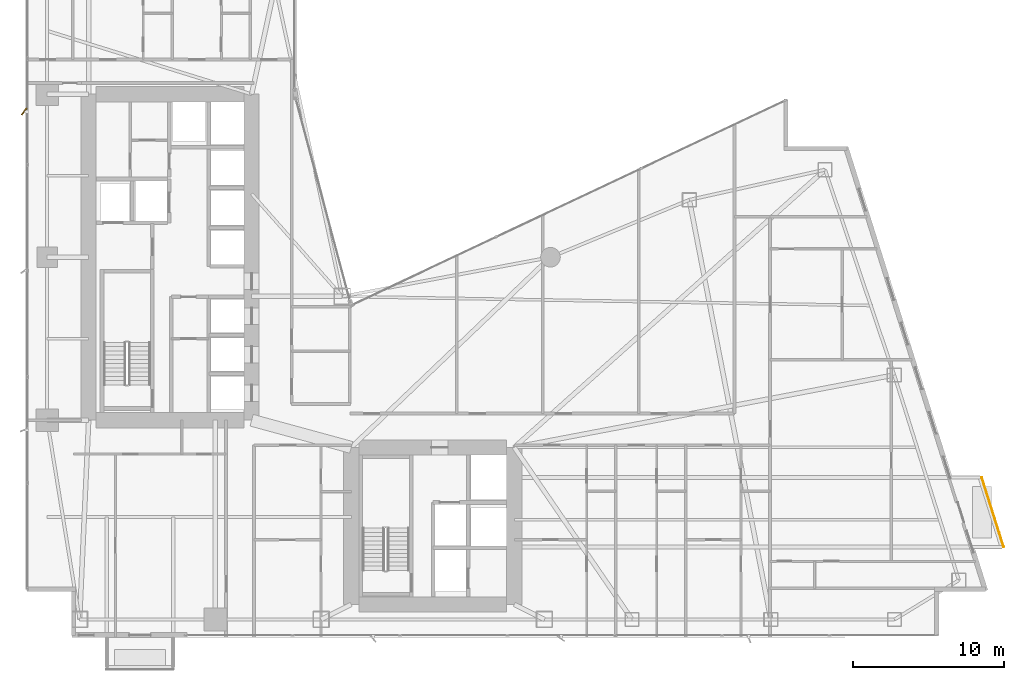
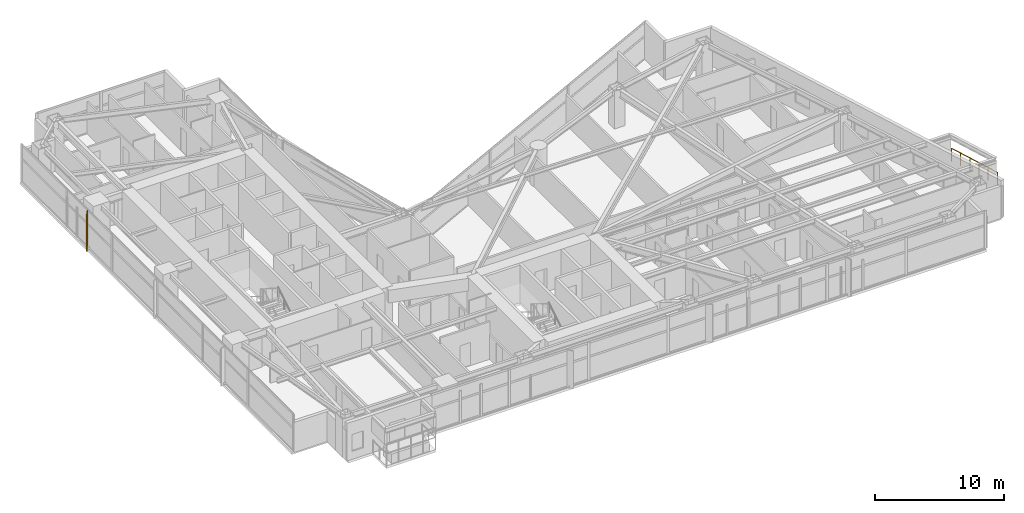
# One storey, part 30 of 30: 1 railing, 1 shading device.
"""IFC4 building model written with IfcOpenShell, lengths in metres."""

from ifc_helpers import new_model, si_unit, direction, frame, origin, origin_2d, place, context, subcontext, project, spatial, rectangle, circle, extrude, material, type_object, element, save


model = new_model("IFC4")

# Units and contexts
model_context = context("Model", 3, precision=1e-05, world=origin(), true_north=direction((0.0, 1.0)))
body_context = subcontext(model_context, "Body", "Model", "MODEL_VIEW")
ifc_project = project(units=[si_unit("LENGTHUNIT", "METRE"), si_unit("AREAUNIT", "SQUARE_METRE"), si_unit("VOLUMEUNIT", "CUBIC_METRE"), si_unit("PLANEANGLEUNIT", "RADIAN"), si_unit("MASSUNIT", "GRAM", prefix="KILO")], contexts=[model_context])

# Site, building, storey
site_placement = place(None, origin())
site = spatial("IfcSite", under=ifc_project, at=site_placement, CompositionType="ELEMENT")
building_placement = place(site_placement, origin())
building = spatial("IfcBuilding", under=site, at=building_placement, Name="Calvorn Quay Hotel", CompositionType="ELEMENT")
storey_placement = place(building_placement, frame((0.0, 0.0, 50.800048828125)))
storey = spatial("IfcBuildingStorey", under=building, at=storey_placement, Name="L11", CompositionType="ELEMENT", Elevation=50.800048828125)

# Railing
ifc_material_1 = material(Name="Pale Anodised Aluminium and Laminated Glass", Category="aluminium")
railing_type = type_object("IfcRailingType", Name="RLG-BALUSTRADE-1200", PredefinedType="BALUSTRADE", material=ifc_material_1)
railing_placement = place(storey_placement, frame((64.827880859375, 8.39990234375, 0.89990234375)))
element("IfcRailing", 1, at=railing_placement, inside=storey, type_object=railing_type, Name="Planter Kerb High Safety Screen L11-BALC-E", PredefinedType="BALUSTRADE", context=body_context, shape_type="SweptSolid", body=[
    extrude(circle(Radius=0.02392578125, at=origin_2d()), frame((0.0, 0.0, 1.19580078125), z_axis=(-0.300620172346, 0.953743944662, 0.0), x_axis=(-0.953743944662, -0.300620172346, 0.0)), (0.0, 0.0, 1.0), 4.8232421875),
    extrude(circle(Radius=0.02099609375, at=origin_2d()), origin(), (0.0, 0.0, 1.0), 1.171875),
    extrude(circle(Radius=0.02099609375, at=origin_2d()), frame((-0.2900390625, 0.919921875, 0.0)), (0.0, 0.0, 1.0), 1.171875),
    extrude(circle(Radius=0.02099609375, at=origin_2d()), frame((-0.580078125, 1.840087890625, 0.0)), (0.0, 0.0, 1.0), 1.171875),
    extrude(circle(Radius=0.02099609375, at=origin_2d()), frame((-0.869873046875, 2.760009765625, 0.0)), (0.0, 0.0, 1.0), 1.171875),
    extrude(circle(Radius=0.02099609375, at=origin_2d()), frame((-1.159912109375, 3.68017578125, 0.0)), (0.0, 0.0, 1.0), 1.171875),
    extrude(circle(Radius=0.02099609375, at=origin_2d()), frame((-1.449951171875, 4.60009765625, 0.0)), (0.0, 0.0, 1.0), 1.171875),
])

# Shading device
ifc_material_2 = material(Name="Champagne Bronze Anodised Aluminium 6063-T6", Category="aluminium")
shading_device_type = type_object("IfcShadingDeviceType", Name="SHD-FIN-A3", PredefinedType="USERDEFINED", material=ifc_material_2)
shading_device_placement = place(storey_placement, frame((-0.080078125, 37.25, 0.0), z_axis=(0.0, 0.0, 1.0), x_axis=(0.587785252292, 0.809016994375, 0.0)))
element("IfcShadingDevice", 2, at=shading_device_placement, inside=storey, type_object=shading_device_type, Name="Diagonal Sun-Shading Fin L11-W03", ObjectType="FIN", PredefinedType="USERDEFINED", context=body_context, shape_type="SweptSolid", body=[
    extrude(rectangle(XDim=0.550048828125, YDim=0.080078125, at=origin_2d()), origin(), (0.0, 0.0, 1.0), 3.56005859375),
])

save(model, "model.ifc")
